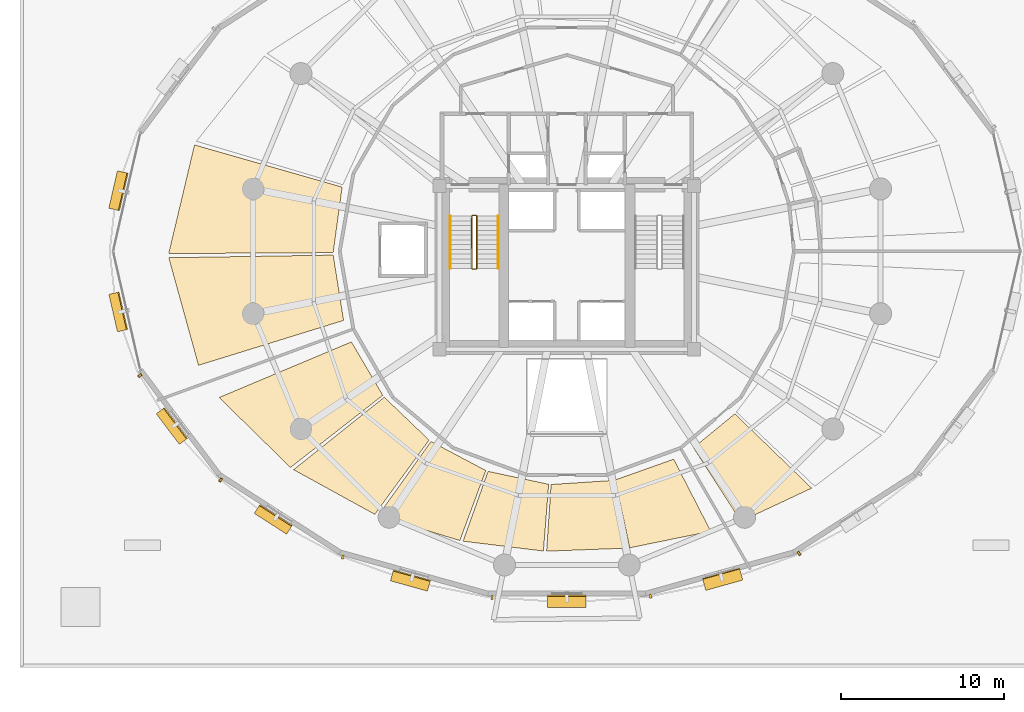
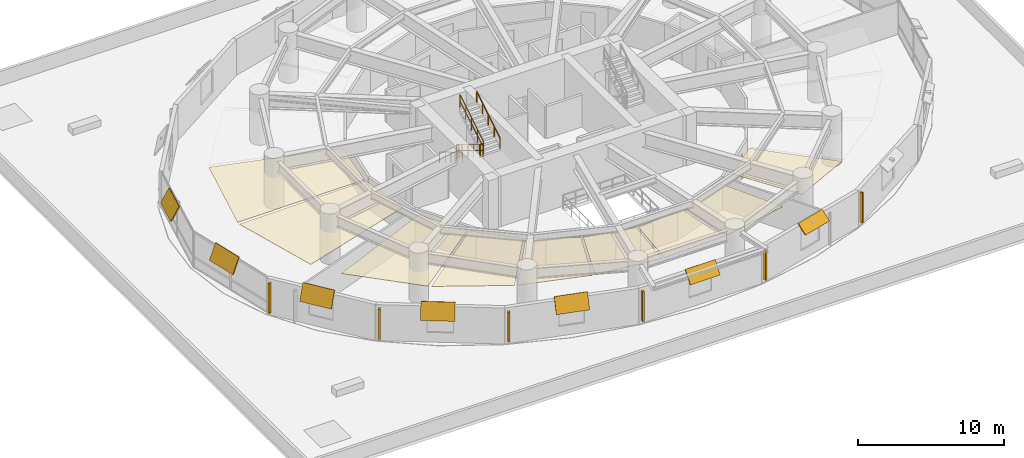
# One storey, part 13 of 15: 13 shading devices, 9 coverings, 6 railings.
"""IFC4 building model written with IfcOpenShell, lengths in metres."""

from ifc_helpers import new_model, si_unit, direction, frame, origin, origin_2d, place, context, subcontext, project, spatial, polyline, rectangle, outline, extrude, material, layer, layer_set, type_object, element, save


model = new_model("IFC4")

# Units and contexts
model_context = context("Model", 3, precision=1e-05, world=origin(), true_north=direction((0.0, 1.0)))
body_context = subcontext(model_context, "Body", "Model", "MODEL_VIEW")
ifc_project = project(units=[si_unit("LENGTHUNIT", "METRE"), si_unit("AREAUNIT", "SQUARE_METRE"), si_unit("VOLUMEUNIT", "CUBIC_METRE"), si_unit("PLANEANGLEUNIT", "RADIAN"), si_unit("MASSUNIT", "GRAM", prefix="KILO"), si_unit("THERMODYNAMICTEMPERATUREUNIT", "KELVIN"), si_unit("POWERUNIT", "WATT")], contexts=[model_context])

# Site, building, storey
site_placement = place(None, origin())
site = spatial("IfcSite", under=ifc_project, at=site_placement, CompositionType="ELEMENT")
building_placement = place(site_placement, origin())
building = spatial("IfcBuilding", under=site, at=building_placement, Name="Ocrelia Relay Tower", CompositionType="ELEMENT")
storey_placement = place(building_placement, frame((0.0, 0.0, 30.0)))
storey = spatial("IfcBuildingStorey", under=building, at=storey_placement, Name="L06", CompositionType="ELEMENT", Elevation=30.0)

# Coverings
ifc_material_1 = material(Name="Cleanroom metal-pan acoustic ceiling", Category="aluminium")
ifc_layer_1 = layer(ifc_material_1, 0.0400390625, Name="Cleanroom metal-pan acoustic ceiling")
ifc_layer_set_1 = layer_set([ifc_layer_1], Name="Cleanroom metal-pan acoustic ceiling")
covering_type = type_object("IfcCoveringType", Name="COV-CEIL-CLEAN", PredefinedType="CEILING", material=ifc_layer_set_1)
covering_1_placement = place(storey_placement, frame((0.0, 0.0, 2.590087890625)))
element("IfcCovering", 1, at=covering_1_placement, inside=storey, type_object=covering_type, Name="L06 Colocation Data Hall A Suspended Ceiling 7", PredefinedType="CEILING", context=body_context, shape_type="SweptSolid", body=[
    extrude(outline(polyline([(20.231201171875, 29.93505859375), (11.18359375, 32.52099609375), (9.6005859375, 25.861572265625), (19.68017578125, 25.918701171875), (20.231201171875, 29.93505859375)])), origin(), (0.0, 0.0, 1.0), 0.039794921875),
])
covering_2_placement = place(storey_placement, frame((0.0, 0.0, 2.590087890625)))
element("IfcCovering", 2, at=covering_2_placement, inside=storey, type_object=covering_type, Name="L06 Colocation Data Hall A Suspended Ceiling 8", PredefinedType="CEILING", context=body_context, shape_type="SweptSolid", body=[
    extrude(outline(polyline([(19.681884765625, 25.768798828125), (9.605712890625, 25.606201171875), (11.427734375, 19.0126953125), (20.3203125, 21.765380859375), (19.681884765625, 25.768798828125)])), origin(), (0.0, 0.0, 1.0), 0.039794921875),
])
covering_3_placement = place(storey_placement, frame((0.0, 0.0, 2.590087890625)))
element("IfcCovering", 3, at=covering_3_placement, inside=storey, type_object=covering_type, Name="L06 Hardware Testing Laboratory Suspended Ceiling 1", PredefinedType="CEILING", context=body_context, shape_type="SweptSolid", body=[
    extrude(outline(polyline([(20.798828125, 20.45068359375), (12.6875, 17.041015625), (17.065185546875, 12.75341796875), (22.720703125, 17.17724609375), (20.798828125, 20.45068359375)])), origin(), (0.0, 0.0, 1.0), 0.039794921875),
])
covering_4_placement = place(storey_placement, frame((0.0, 0.0, 2.590087890625)))
element("IfcCovering", 4, at=covering_4_placement, inside=storey, type_object=covering_type, Name="L06 Hardware Testing Laboratory Suspended Ceiling 2", PredefinedType="CEILING", context=body_context, shape_type="SweptSolid", body=[
    extrude(outline(polyline([(22.813720703125, 17.0595703125), (17.255126953125, 12.61669921875), (22.231689453125, 9.881591796875), (25.555908203125, 14.4345703125), (22.813720703125, 17.0595703125)])), origin(), (0.0, 0.0, 1.0), 0.039794921875),
])
covering_5_placement = place(storey_placement, frame((0.0, 0.0, 2.590087890625)))
element("IfcCovering", 5, at=covering_5_placement, inside=storey, type_object=covering_type, Name="L06 Hardware Testing Laboratory Suspended Ceiling 3", PredefinedType="CEILING", context=body_context, shape_type="SweptSolid", body=[
    extrude(outline(polyline([(25.677490234375, 14.3466796875), (22.430419921875, 9.800048828125), (27.44384765625, 8.276611328125), (29.031982421875, 12.5693359375), (25.677490234375, 14.3466796875)])), origin(), (0.0, 0.0, 1.0), 0.039794921875),
])
covering_6_placement = place(storey_placement, frame((0.0, 0.0, 2.590087890625)))
element("IfcCovering", 6, at=covering_6_placement, inside=storey, type_object=covering_type, Name="L06 Hardware Testing Laboratory Suspended Ceiling 4", PredefinedType="CEILING", context=body_context, shape_type="SweptSolid", body=[
    extrude(outline(polyline([(29.1728515625, 12.51806640625), (27.6396484375, 8.236083984375), (32.565185546875, 7.6318359375), (32.884765625, 11.723388671875), (29.1728515625, 12.51806640625)])), origin(), (0.0, 0.0, 1.0), 0.039794921875),
])
covering_7_placement = place(storey_placement, frame((0.0, 0.0, 2.590087890625)))
element("IfcCovering", 7, at=covering_7_placement, inside=storey, type_object=covering_type, Name="L06 Hardware Testing Laboratory Suspended Ceiling 5", PredefinedType="CEILING", context=body_context, shape_type="SweptSolid", body=[
    extrude(outline(polyline([(33.0341796875, 11.712646484375), (32.758056640625, 7.623779296875), (37.6572265625, 7.807861328125), (36.822265625, 11.9609375), (33.0341796875, 11.712646484375)])), origin(), (0.0, 0.0, 1.0), 0.039794921875),
])
covering_8_placement = place(storey_placement, frame((0.0, 0.0, 2.590087890625)))
element("IfcCovering", 8, at=covering_8_placement, inside=storey, type_object=covering_type, Name="L06 Hardware Testing Laboratory Suspended Ceiling 6", PredefinedType="CEILING", context=body_context, shape_type="SweptSolid", body=[
    extrude(outline(polyline([(36.968994140625, 11.9912109375), (37.85107421875, 7.83056640625), (42.8173828125, 8.843505859375), (40.545654296875, 13.263671875), (36.968994140625, 11.9912109375)])), origin(), (0.0, 0.0, 1.0), 0.039794921875),
])
covering_9_placement = place(storey_placement, frame((0.0, 0.0, 2.590087890625)))
element("IfcCovering", 9, at=covering_9_placement, inside=storey, type_object=covering_type, Name="L06 Telemetry Operations Studio Suspended Ceiling 1", PredefinedType="CEILING", context=body_context, shape_type="SweptSolid", body=[
    extrude(outline(polyline([(41.75732421875, 13.963134765625), (44.665283203125, 9.45068359375), (49.001220703125, 11.48828125), (44.292236328125, 16.04345703125), (41.75732421875, 13.963134765625)])), origin(), (0.0, 0.0, 1.0), 0.039794921875),
])

# Railings
ifc_material_2 = material(Name="Steel S355 balustrade", Category="steel")
railing_type_1 = type_object("IfcRailingType", Name="RL-STAIR-GUARD", PredefinedType="GUARDRAIL", material=ifc_material_2)
railing_1_placement = place(storey_placement, frame((28.179931640625, 28.14990234375, 0.175048828125)))
element("IfcRailing", 10, at=railing_1_placement, inside=storey, type_object=railing_type_1, Name="L06 ST1 stair guard 1", PredefinedType="GUARDRAIL", context=body_context, shape_type="SweptSolid", body=[
    extrude(rectangle(XDim=0.048095703125, YDim=0.048095703125, at=origin_2d()), frame((0.0, 0.0, 1.076171875), z_axis=(0.0, -0.856177665481, 0.516681531633), x_axis=(1.0, 0.0, 0.0)), (0.0, 0.0, 1.0), 3.725830078125),
    extrude(rectangle(XDim=0.048095703125, YDim=0.048095703125, at=origin_2d()), frame((0.0, 0.0, 0.550048828125), z_axis=(0.0, -0.856177665481, 0.516681531633), x_axis=(1.0, 0.0, 0.0)), (0.0, 0.0, 1.0), 3.725830078125),
    extrude(rectangle(XDim=0.0419921875, YDim=0.0419921875, at=origin_2d()), origin(), (0.0, 0.0, 1.0), 1.052001953125),
    extrude(rectangle(XDim=0.0419921875, YDim=0.0419921875, at=origin_2d()), frame((0.0, -0.79736328125, 0.481201171875)), (0.0, 0.0, 1.0), 1.052001953125),
    extrude(rectangle(XDim=0.0419921875, YDim=0.0419921875, at=origin_2d()), frame((0.0, -1.594970703125, 0.96240234375)), (0.0, 0.0, 1.0), 1.052001953125),
    extrude(rectangle(XDim=0.0419921875, YDim=0.0419921875, at=origin_2d()), frame((0.0, -2.392578125, 1.44384765625)), (0.0, 0.0, 1.0), 1.052001953125),
    extrude(rectangle(XDim=0.0419921875, YDim=0.0419921875, at=origin_2d()), frame((0.0, -3.18994140625, 1.925048828125)), (0.0, 0.0, 1.0), 1.052001953125),
])
railing_2_placement = place(storey_placement, frame((28.22998046875, 24.909912109375, 2.10009765625)))
element("IfcRailing", 11, at=railing_2_placement, inside=storey, type_object=railing_type_1, Name="L06 ST1 stair guard 2", PredefinedType="GUARDRAIL", context=body_context, shape_type="SweptSolid", body=[
    extrude(rectangle(XDim=0.048095703125, YDim=0.048095703125, at=origin_2d()), frame((0.0, 0.0, 1.076171875), z_axis=(1.0, 0.0, 0.0), x_axis=(0.0, 1.0, 0.0)), (0.0, 0.0, 1.0), 0.199951171875),
    extrude(rectangle(XDim=0.048095703125, YDim=0.048095703125, at=origin_2d()), frame((0.0, 0.0, 0.550048828125), z_axis=(1.0, 0.0, 0.0), x_axis=(0.0, 1.0, 0.0)), (0.0, 0.0, 1.0), 0.199951171875),
    extrude(rectangle(XDim=0.0419921875, YDim=0.0419921875, at=origin_2d()), origin(), (0.0, 0.0, 1.0), 1.052001953125),
    extrude(rectangle(XDim=0.0419921875, YDim=0.0419921875, at=origin_2d()), frame((0.199951171875, 0.0, 0.0)), (0.0, 0.0, 1.0), 1.052001953125),
])
railing_3_placement = place(storey_placement, frame((28.47998046875, 24.9599609375, 2.27490234375)))
element("IfcRailing", 12, at=railing_3_placement, inside=storey, type_object=railing_type_1, Name="L06 ST1 stair guard 3", PredefinedType="GUARDRAIL", context=body_context, shape_type="SweptSolid", body=[
    extrude(rectangle(XDim=0.048095703125, YDim=0.048095703125, at=origin_2d()), frame((0.0, 0.0, 1.076171875), z_axis=(0.0, 0.856177665481, 0.516681531633), x_axis=(-1.0, 0.0, 0.0)), (0.0, 0.0, 1.0), 3.725830078125),
    extrude(rectangle(XDim=0.048095703125, YDim=0.048095703125, at=origin_2d()), frame((0.0, 0.0, 0.550048828125), z_axis=(0.0, 0.856177665481, 0.516681531633), x_axis=(-1.0, 0.0, 0.0)), (0.0, 0.0, 1.0), 3.725830078125),
    extrude(rectangle(XDim=0.0419921875, YDim=0.0419921875, at=origin_2d()), origin(), (0.0, 0.0, 1.0), 1.052001953125),
    extrude(rectangle(XDim=0.0419921875, YDim=0.0419921875, at=origin_2d()), frame((0.0, 0.79736328125, 0.481201171875)), (0.0, 0.0, 1.0), 1.052001953125),
    extrude(rectangle(XDim=0.0419921875, YDim=0.0419921875, at=origin_2d()), frame((0.0, 1.594970703125, 0.96240234375)), (0.0, 0.0, 1.0), 1.052001953125),
    extrude(rectangle(XDim=0.0419921875, YDim=0.0419921875, at=origin_2d()), frame((0.0, 2.392578125, 1.44384765625)), (0.0, 0.0, 1.0), 1.052001953125),
    extrude(rectangle(XDim=0.0419921875, YDim=0.0419921875, at=origin_2d()), frame((0.0, 3.18994140625, 1.925048828125)), (0.0, 0.0, 1.0), 1.052001953125),
])
railing_4_placement = place(storey_placement, frame((28.22998046875, 28.199951171875, 0.0)))
element("IfcRailing", 13, at=railing_4_placement, inside=storey, type_object=railing_type_1, Name="L06 ST1 stair guard 4", PredefinedType="GUARDRAIL", context=body_context, shape_type="SweptSolid", body=[
    extrude(rectangle(XDim=0.048095703125, YDim=0.048095703125, at=origin_2d()), frame((0.0, 0.0, 1.076171875), z_axis=(1.0, 0.0, 0.0), x_axis=(0.0, 1.0, 0.0)), (0.0, 0.0, 1.0), 0.199951171875),
    extrude(rectangle(XDim=0.048095703125, YDim=0.048095703125, at=origin_2d()), frame((0.0, 0.0, 0.550048828125), z_axis=(1.0, 0.0, 0.0), x_axis=(0.0, 1.0, 0.0)), (0.0, 0.0, 1.0), 0.199951171875),
    extrude(rectangle(XDim=0.0419921875, YDim=0.0419921875, at=origin_2d()), origin(), (0.0, 0.0, 1.0), 1.052001953125),
    extrude(rectangle(XDim=0.0419921875, YDim=0.0419921875, at=origin_2d()), frame((0.199951171875, 0.0, 0.0)), (0.0, 0.0, 1.0), 1.052001953125),
])
ifc_material_3 = material(Name="Steel S355 tubular handrail", Category="steel")
railing_type_2 = type_object("IfcRailingType", Name="RL-STAIR-HAND", PredefinedType="HANDRAIL", material=ifc_material_3)
railing_5_placement = place(storey_placement, frame((26.860107421875, 28.14990234375, 0.175048828125)))
element("IfcRailing", 14, at=railing_5_placement, inside=storey, type_object=railing_type_2, Name="L06 ST1 stair handrail 1", PredefinedType="HANDRAIL", context=body_context, shape_type="SweptSolid", body=[
    extrude(rectangle(XDim=0.048095703125, YDim=0.048095703125, at=origin_2d()), frame((0.0, 0.0, 0.8759765625), z_axis=(0.0, -0.856177665481, 0.516681531633), x_axis=(1.0, 0.0, 0.0)), (0.0, 0.0, 1.0), 3.725830078125),
    extrude(rectangle(XDim=0.0419921875, YDim=0.0419921875, at=origin_2d()), origin(), (0.0, 0.0, 1.0), 0.851806640625),
    extrude(rectangle(XDim=0.0419921875, YDim=0.0419921875, at=origin_2d()), frame((0.0, -0.79736328125, 0.481201171875)), (0.0, 0.0, 1.0), 0.851806640625),
    extrude(rectangle(XDim=0.0419921875, YDim=0.0419921875, at=origin_2d()), frame((0.0, -1.594970703125, 0.96240234375)), (0.0, 0.0, 1.0), 0.851806640625),
    extrude(rectangle(XDim=0.0419921875, YDim=0.0419921875, at=origin_2d()), frame((0.0, -2.392578125, 1.44384765625)), (0.0, 0.0, 1.0), 0.851806640625),
    extrude(rectangle(XDim=0.0419921875, YDim=0.0419921875, at=origin_2d()), frame((0.0, -3.18994140625, 1.925048828125)), (0.0, 0.0, 1.0), 0.851806640625),
])
railing_6_placement = place(storey_placement, frame((29.800048828125, 24.9599609375, 2.27490234375)))
element("IfcRailing", 15, at=railing_6_placement, inside=storey, type_object=railing_type_2, Name="L06 ST1 stair handrail 2", PredefinedType="HANDRAIL", context=body_context, shape_type="SweptSolid", body=[
    extrude(rectangle(XDim=0.048095703125, YDim=0.048095703125, at=origin_2d()), frame((0.0, 0.0, 0.8759765625), z_axis=(0.0, 0.856177665481, 0.516681531633), x_axis=(-1.0, 0.0, 0.0)), (0.0, 0.0, 1.0), 3.725830078125),
    extrude(rectangle(XDim=0.0419921875, YDim=0.0419921875, at=origin_2d()), origin(), (0.0, 0.0, 1.0), 0.851806640625),
    extrude(rectangle(XDim=0.0419921875, YDim=0.0419921875, at=origin_2d()), frame((0.0, 0.79736328125, 0.481201171875)), (0.0, 0.0, 1.0), 0.851806640625),
    extrude(rectangle(XDim=0.0419921875, YDim=0.0419921875, at=origin_2d()), frame((0.0, 1.594970703125, 0.96240234375)), (0.0, 0.0, 1.0), 0.851806640625),
    extrude(rectangle(XDim=0.0419921875, YDim=0.0419921875, at=origin_2d()), frame((0.0, 2.392578125, 1.44384765625)), (0.0, 0.0, 1.0), 0.851806640625),
    extrude(rectangle(XDim=0.0419921875, YDim=0.0419921875, at=origin_2d()), frame((0.0, 3.18994140625, 1.925048828125)), (0.0, 0.0, 1.0), 0.851806640625),
])

# Shading devices
ifc_material_4 = material(Name="Extruded oxide terracotta vertical baguette", Category="masonry")
shading_device_type_1 = type_object("IfcShadingDeviceType", Name="SH-TERR-BAGUETTE", PredefinedType="USERDEFINED", material=ifc_material_4)
for number, where, z_axis, x_axis, name in (
    (16, (7.837158203125, 18.385009765625, 0.25), (0.0, 0.0, 1.0), (0.601809563303, -0.79863962431, 0.0), "L06 Oxide Terracotta Vertical Baguette 11"),
    (17, (12.781494140625, 11.9853515625, 0.25), (0.0, 0.0, 1.0), (0.841161476755, -0.5407840327, 0.0), "L06 Oxide Terracotta Vertical Baguette 12"),
    (18, (20.269287109375, 7.267578125, 0.25), (0.0, 0.0, 1.0), (0.963245444504, -0.268622809238, 0.0), "L06 Oxide Terracotta Vertical Baguette 13"),
    (19, (29.41259765625, 4.793701171875, 0.25), (0.0, 0.0, 1.0), (1.0, 0.0, 0.0), "L06 Oxide Terracotta Vertical Baguette 14"),
    (20, (39.120361328125, 4.866455078125, 0.25), (0.0, 0.0, 1.0), (0.963245444504, 0.268622809238, 0.0), "L06 Oxide Terracotta Vertical Baguette 15"),
    (21, (48.226318359375, 7.489990234375, 0.25), (0.0, 0.0, 1.0), (0.841161476755, 0.5407840327, 0.0), "L06 Oxide Terracotta Vertical Baguette 16"),
):
    element("IfcShadingDevice", number, at=place(storey_placement, frame(where, z_axis=z_axis, x_axis=x_axis)), inside=storey, type_object=shading_device_type_1, Name=name, ObjectType="BAGUETTE", PredefinedType="USERDEFINED", context=body_context, shape_type="SweptSolid", body=[
        extrude(rectangle(XDim=0.139892578125, YDim=0.239990234375, at=origin_2d()), origin(), (0.0, 0.0, 1.0), 2.5),
    ])
ifc_material_5 = material(Name="Extruded oxide terracotta fin", Category="masonry")
ifc_layer_2 = layer(ifc_material_5, 0.080078125, Name="Extruded oxide terracotta fin")
ifc_layer_set_2 = layer_set([ifc_layer_2], Name="Extruded oxide terracotta fin")
shading_device_type_2 = type_object("IfcShadingDeviceType", Name="SH-VISOR-FIN-DEEP", PredefinedType="USERDEFINED", material=ifc_layer_set_2)
shading_device_1_placement = place(storey_placement, frame((6.55712890625, 29.7041015625, 2.821533203125), z_axis=(-0.862048414267, 0.198383550658, 0.46638664034), x_axis=(-0.224268389459, -0.974527418542, 0.0)))
element("IfcShadingDevice", 22, at=shading_device_1_placement, inside=storey, type_object=shading_device_type_2, Name="L06 Canted Terracotta Sun-Visor Fin 09", ObjectType="FIN", PredefinedType="USERDEFINED", context=body_context, shape_type="SweptSolid", body=[
    extrude(rectangle(XDim=2.35009765625, YDim=1.287109375, at=origin_2d()), origin(), (0.0, 0.0, 1.0), 0.080078125),
])
shading_device_2_placement = place(storey_placement, frame((6.54541015625, 22.294189453125, 2.822998046875), z_axis=(-0.882573761429, -0.203107057112, 0.424041364714), x_axis=(0.224268389459, -0.974527418542, 0.0)))
element("IfcShadingDevice", 23, at=shading_device_2_placement, inside=storey, type_object=shading_device_type_2, Name="L06 Canted Terracotta Sun-Visor Fin 10", ObjectType="FIN", PredefinedType="USERDEFINED", context=body_context, shape_type="SweptSolid", body=[
    extrude(rectangle(XDim=2.35009765625, YDim=1.33203125, at=origin_2d()), origin(), (0.0, 0.0, 1.0), 0.080078125),
])
shading_device_3_placement = place(storey_placement, frame((9.827392578125, 15.316162109375, 2.82373046875), z_axis=(-0.729593601082, -0.549780392921, 0.406736643076), x_axis=(0.601809563303, -0.79863962431, 0.0)))
element("IfcShadingDevice", 24, at=shading_device_3_placement, inside=storey, type_object=shading_device_type_2, Name="L06 Canted Terracotta Sun-Visor Fin 11", ObjectType="FIN", PredefinedType="USERDEFINED", context=body_context, shape_type="SweptSolid", body=[
    extrude(rectangle(XDim=2.35009765625, YDim=1.35009765625, at=origin_2d()), origin(), (0.0, 0.0, 1.0), 0.080078125),
])
shading_device_4_placement = place(storey_placement, frame((16.02783203125, 9.602294921875, 2.822998046875), z_axis=(-0.489717147016, -0.76172958828, 0.424199422745), x_axis=(0.841161476755, -0.5407840327, 0.0)))
element("IfcShadingDevice", 25, at=shading_device_4_placement, inside=storey, type_object=shading_device_type_2, Name="L06 Canted Terracotta Sun-Visor Fin 12", ObjectType="FIN", PredefinedType="USERDEFINED", context=body_context, shape_type="SweptSolid", body=[
    extrude(rectangle(XDim=2.35009765625, YDim=1.33203125, at=origin_2d()), origin(), (0.0, 0.0, 1.0), 0.080078125),
])
shading_device_5_placement = place(storey_placement, frame((24.42578125, 5.859375, 2.8203125), z_axis=(-0.233774301966, -0.838283361157, 0.492575458328), x_axis=(0.963245444504, -0.268622809238, 0.0)))
element("IfcShadingDevice", 26, at=shading_device_5_placement, inside=storey, type_object=shading_device_type_2, Name="L06 Canted Terracotta Sun-Visor Fin 13", ObjectType="FIN", PredefinedType="USERDEFINED", context=body_context, shape_type="SweptSolid", body=[
    extrude(rectangle(XDim=2.35009765625, YDim=1.258056640625, at=origin_2d()), origin(), (0.0, 0.0, 1.0), 0.080078125),
])
ifc_layer_3 = layer(ifc_material_5, 0.080078125, Name="Extruded oxide terracotta fin")
ifc_layer_set_3 = layer_set([ifc_layer_3], Name="Extruded oxide terracotta fin")
shading_device_type_3 = type_object("IfcShadingDeviceType", Name="SH-VISOR-FIN-MED", PredefinedType="USERDEFINED", material=ifc_layer_set_3)
shading_device_6_placement = place(storey_placement, frame((34.0, 4.581787109375, 2.8154296875), z_axis=(0.0, -0.789512744476, 0.613734165832), x_axis=(1.0, 0.0, 0.0)))
element("IfcShadingDevice", 27, at=shading_device_6_placement, inside=storey, type_object=shading_device_type_3, Name="L06 Canted Terracotta Sun-Visor Fin 14", ObjectType="FIN", PredefinedType="USERDEFINED", context=body_context, shape_type="SweptSolid", body=[
    extrude(rectangle(XDim=2.35009765625, YDim=1.118896484375, at=origin_2d()), origin(), (0.0, 0.0, 1.0), 0.080078125),
])
shading_device_7_placement = place(storey_placement, frame((43.5390625, 5.93017578125, 2.810302734375), z_axis=(0.179150651686, -0.642410261459, 0.745126901925), x_axis=(0.963245444504, 0.268622809238, 0.0)))
element("IfcShadingDevice", 28, at=shading_device_7_placement, inside=storey, type_object=shading_device_type_3, Name="L06 Canted Terracotta Sun-Visor Fin 15", ObjectType="FIN", PredefinedType="USERDEFINED", context=body_context, shape_type="SweptSolid", body=[
    extrude(rectangle(XDim=2.35009765625, YDim=0.947021484375, at=origin_2d()), origin(), (0.0, 0.0, 1.0), 0.080078125),
])

save(model, "model.ifc")
